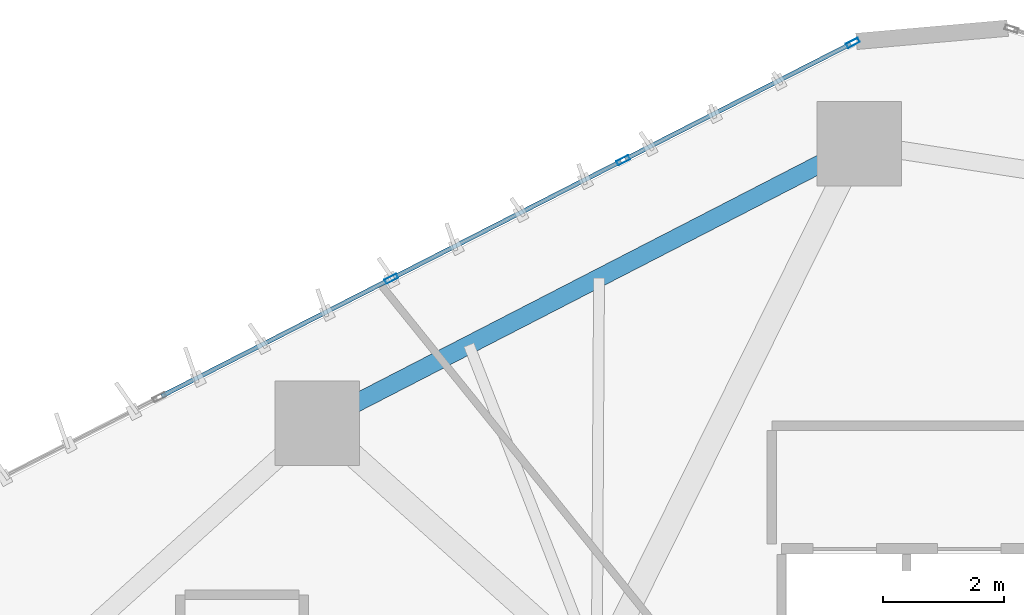
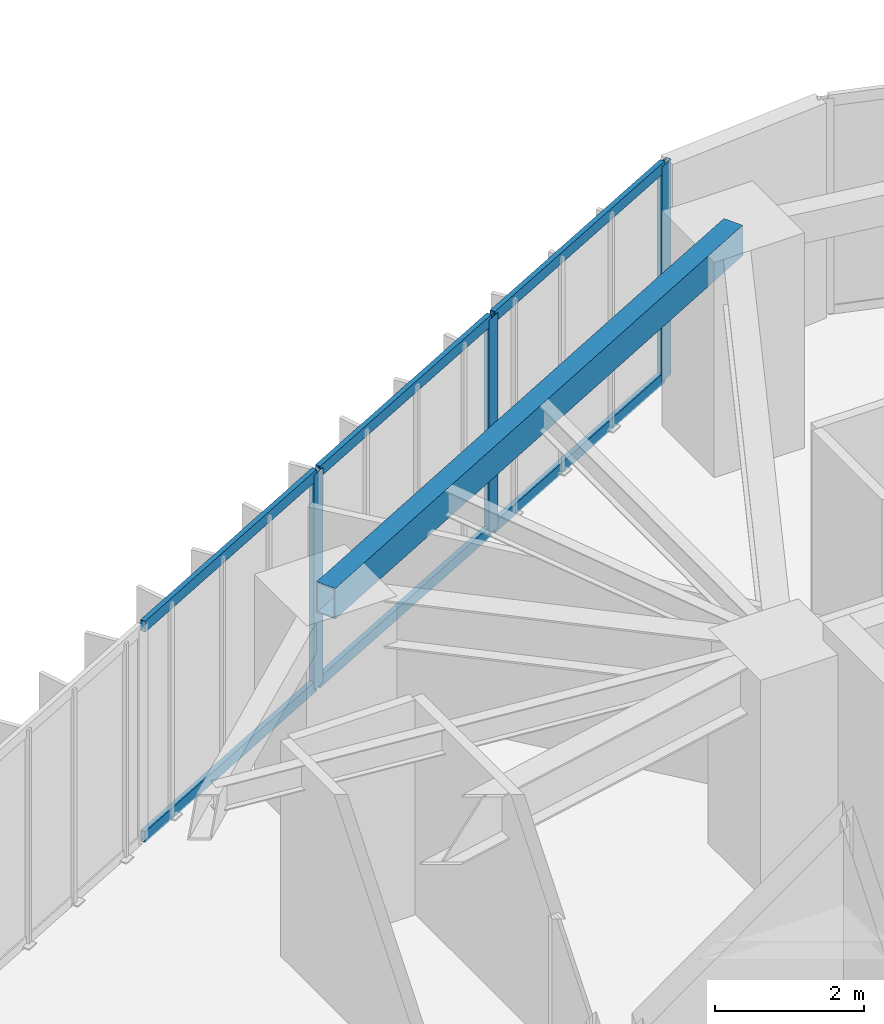
# One storey, part 15 of 24: 9 members, 1 beam, 1 element without a shape of its own.
"""IFC4 building model written with IfcOpenShell, lengths in metres."""

from ifc_helpers import new_model, si_unit, direction, frame, origin, origin_2d, place, context, subcontext, project, spatial, hollow_rectangle, extrude, source, transform, mapped, material, layer, layer_set, material_profile, profile_set, type_object, type_shapes, element, aggregate, save


model = new_model("IFC4")

# Units and contexts
model_context = context("Model", 3, precision=1e-05, world=origin(), true_north=direction((0.0, 1.0)))
body_context = subcontext(model_context, "Body", "Model", "MODEL_VIEW")
ifc_project = project(units=[si_unit("LENGTHUNIT", "METRE"), si_unit("AREAUNIT", "SQUARE_METRE"), si_unit("VOLUMEUNIT", "CUBIC_METRE"), si_unit("PLANEANGLEUNIT", "RADIAN"), si_unit("MASSUNIT", "GRAM", prefix="KILO")], contexts=[model_context])

# Site, building, storey
site_placement = place(None, origin())
site = spatial("IfcSite", under=ifc_project, at=site_placement, CompositionType="ELEMENT")
building_placement = place(site_placement, origin())
building = spatial("IfcBuilding", under=site, at=building_placement, Name="Talar Marvaseh", CompositionType="ELEMENT")
storey_placement = place(building_placement, frame((0.0, 0.0, 39.199951171875)))
storey = spatial("IfcBuildingStorey", under=building, at=storey_placement, Name="L09", CompositionType="ELEMENT", Elevation=39.199951171875)

# Beam
ifc_material_1 = material(Name="Steel S355", Category="steel")
ifc_material_profile_1 = material_profile(ifc_material_1, hollow_rectangle(XDim=0.300048828125, YDim=0.5, WallThickness=0.02001953125, at=origin_2d()), Name="RHS500x300x20")
ifc_profile_set_1 = profile_set([ifc_material_profile_1], Name="Steel S355")
beam_type = type_object("IfcBeamType", Name="Zone 1 Perimeter Spandrel Beam RHS500x300x20", PredefinedType="SPANDREL", material=ifc_profile_set_1)
beam_placement = place(storey_placement, frame((14.069091796875, 41.04296875, 3.27001953125), z_axis=(0.889015710182, 0.457876694155, 0.0), x_axis=(-0.457876694155, 0.889015710182, 0.0)))
element("IfcBeam", 1, at=beam_placement, inside=storey, type_object=beam_type, Name="L09 Zone 1 Perimeter Spandrel Beam RHS500x300x20", PredefinedType="SPANDREL", context=body_context, shape_type="SweptSolid", body=[
    extrude(hollow_rectangle(XDim=0.300048828125, YDim=0.5, WallThickness=0.02001953125, at=origin_2d()), origin(), (0.0, 0.0, 1.0), 10.098876953125),
])

# Curtain wall, members
ifc_material_2 = material(Name="Architectural Aluminium", Category="aluminium")
ifc_layer = layer(ifc_material_2, 0.219970703125)
ifc_layer_set = layer_set([ifc_layer], Name="Architectural Aluminium")
curtain_wall_type = type_object("IfcCurtainWallType", Name="Unitised Low-E Museum Curtain Wall Z1", PredefinedType="NOTDEFINED", material=ifc_layer_set)
curtain_wall_placement = place(storey_placement, origin())
curtain_wall = element("IfcCurtainWall", 2, at=curtain_wall_placement, inside=storey, type_object=curtain_wall_type, Name="L09 Unitised Low-E Museum Curtain Wall Z1", PredefinedType="NOTDEFINED")
ifc_material_profile_2 = material_profile(ifc_material_2, hollow_rectangle(XDim=0.080078125, YDim=0.219970703125, WallThickness=0.0048828125, at=origin_2d()), Name="RHS220x80x5")
ifc_profile_set_2 = profile_set([ifc_material_profile_2], Name="Architectural Aluminium")
member_type_1 = type_object("IfcMemberType", Name="Unitised Curtain Wall Heavy Mullion RHS220x80x5", PredefinedType="MULLION", material=ifc_profile_set_2)
shared_shape_1 = source(origin(), body_context, "Body", "SweptSolid", [
    extrude(hollow_rectangle(XDim=0.080078125, YDim=0.219970703125, WallThickness=0.0048828125, at=origin_2d()), origin(), (0.0, 0.0, 1.0), 3.52001953125),
])
type_shapes(member_type_1, [shared_shape_1])
member_1_placement = place(storey_placement, frame((15.298095703125, 43.43359375, 0.0), z_axis=(0.0, 0.0, 1.0), x_axis=(-0.455044452732, 0.890468722661, 0.0)))
member_1 = element("IfcMember", 3, at=member_1_placement, type_object=member_type_1, Name="CW-Z1 mullion 3", PredefinedType="MULLION", context=body_context, shape_type="MappedRepresentation", body=[
    mapped(shared_shape_1, transform((0.0, 0.0, 0.0), x_axis=(1.0, 0.0, 0.0), y_axis=(0.0, 1.0, 0.0), z_axis=(0.0, 0.0, 1.0), scale=1.0)),
])
member_2_placement = place(storey_placement, frame((19.1376953125, 45.3955078125, 0.0), z_axis=(0.0, 0.0, 1.0), x_axis=(-0.455044452732, 0.890468722661, 0.0)))
member_2 = element("IfcMember", 4, at=member_2_placement, type_object=member_type_1, Name="CW-Z1 mullion 4", PredefinedType="MULLION", context=body_context, shape_type="MappedRepresentation", body=[
    mapped(shared_shape_1, transform((0.0, 0.0, 0.0), x_axis=(1.0, 0.0, 0.0), y_axis=(0.0, 1.0, 0.0), z_axis=(0.0, 0.0, 1.0), scale=1.0)),
])
member_3_placement = place(storey_placement, frame((22.941650390625, 47.339599609375, 0.0), z_axis=(0.0, 0.0, 1.0), x_axis=(-0.455044452732, 0.890468722661, 0.0)))
member_3 = element("IfcMember", 5, at=member_3_placement, type_object=member_type_1, Name="CW-Z1 mullion 5", PredefinedType="MULLION", context=body_context, shape_type="MappedRepresentation", body=[
    mapped(shared_shape_1, transform((0.0, 0.0, 0.0), x_axis=(1.0, 0.0, 0.0), y_axis=(0.0, 1.0, 0.0), z_axis=(0.0, 0.0, 1.0), scale=1.0)),
])
ifc_material_profile_3 = material_profile(ifc_material_2, hollow_rectangle(XDim=0.074951171875, YDim=0.179931640625, WallThickness=0.0048828125, at=origin_2d()), Name="RHS180x75x5")
ifc_profile_set_3 = profile_set([ifc_material_profile_3], Name="Architectural Aluminium")
member_type_2 = type_object("IfcMemberType", Name="Unitised Curtain Wall Transom RHS180x75x5", PredefinedType="USERDEFINED", material=ifc_profile_set_3)
shared_shape_2 = source(origin(), body_context, "Body", "SweptSolid", [
    extrude(hollow_rectangle(XDim=0.074951171875, YDim=0.179931640625, WallThickness=0.0048828125, at=origin_2d()), origin(), (0.0, 0.0, 1.0), 4.19189453125),
])
member_4_placement = place(storey_placement, frame((19.17333984375, 45.413818359375, 0.03759765625), z_axis=(0.890467198945, 0.455047434453, 0.0), x_axis=(-0.455047434453, 0.890467198945, 0.0)))
member_4 = element("IfcMember", 6, at=member_4_placement, type_object=member_type_2, Name="CW-Z1 transom 4.1", ObjectType="TRANSOM", PredefinedType="USERDEFINED", context=body_context, shape_type="MappedRepresentation", body=[
    mapped(shared_shape_2, transform((0.0, 0.0, 0.0), x_axis=(1.0, 0.0, 0.0), y_axis=(0.0, 1.0, 0.0), z_axis=(0.0, 0.0, 1.0), scale=1.0)),
])
member_5_placement = place(storey_placement, frame((19.17333984375, 45.413818359375, 3.482666015625), z_axis=(0.890467198945, 0.455047434453, 0.0), x_axis=(-0.455047434453, 0.890467198945, 0.0)))
member_5 = element("IfcMember", 7, at=member_5_placement, type_object=member_type_2, Name="CW-Z1 transom 4.2", ObjectType="TRANSOM", PredefinedType="USERDEFINED", context=body_context, shape_type="MappedRepresentation", body=[
    mapped(shared_shape_2, transform((0.0, 0.0, 0.0), x_axis=(1.0, 0.0, 0.0), y_axis=(0.0, 1.0, 0.0), z_axis=(0.0, 0.0, 1.0), scale=1.0)),
])
shared_shape_3 = source(origin(), body_context, "Body", "SweptSolid", [
    extrude(hollow_rectangle(XDim=0.074951171875, YDim=0.179931640625, WallThickness=0.0048828125, at=origin_2d()), origin(), (0.0, 0.0, 1.0), 4.23193359375),
])
type_shapes(member_type_2, [shared_shape_2, shared_shape_3])
member_6_placement = place(storey_placement, frame((11.494140625, 41.489501953125, 0.03759765625), z_axis=(0.890458060041, 0.455065317629, 0.0), x_axis=(-0.455065317629, 0.890458060041, 0.0)))
member_6 = element("IfcMember", 8, at=member_6_placement, type_object=member_type_2, Name="CW-Z1 transom 2.1", ObjectType="TRANSOM", PredefinedType="USERDEFINED", context=body_context, shape_type="MappedRepresentation", body=[
    mapped(shared_shape_3, transform((0.0, 0.0, 0.0), x_axis=(1.0, 0.0, 0.0), y_axis=(0.0, 1.0, 0.0), z_axis=(0.0, 0.0, 1.0), scale=1.0)),
])
member_7_placement = place(storey_placement, frame((11.494140625, 41.489501953125, 3.482666015625), z_axis=(0.890458060041, 0.455065317629, 0.0), x_axis=(-0.455065317629, 0.890458060041, 0.0)))
member_7 = element("IfcMember", 9, at=member_7_placement, type_object=member_type_2, Name="CW-Z1 transom 2.2", ObjectType="TRANSOM", PredefinedType="USERDEFINED", context=body_context, shape_type="MappedRepresentation", body=[
    mapped(shared_shape_3, transform((0.0, 0.0, 0.0), x_axis=(1.0, 0.0, 0.0), y_axis=(0.0, 1.0, 0.0), z_axis=(0.0, 0.0, 1.0), scale=1.0)),
])
member_8_placement = place(storey_placement, frame((15.333740234375, 43.45166015625, 0.03759765625), z_axis=(0.890458060041, 0.455065317629, 0.0), x_axis=(-0.455065317629, 0.890458060041, 0.0)))
member_8 = element("IfcMember", 10, at=member_8_placement, type_object=member_type_2, Name="CW-Z1 transom 3.1", ObjectType="TRANSOM", PredefinedType="USERDEFINED", context=body_context, shape_type="MappedRepresentation", body=[
    mapped(shared_shape_3, transform((0.0, 0.0, 0.0), x_axis=(1.0, 0.0, 0.0), y_axis=(0.0, 1.0, 0.0), z_axis=(0.0, 0.0, 1.0), scale=1.0)),
])
member_9_placement = place(storey_placement, frame((15.333740234375, 43.45166015625, 3.482666015625), z_axis=(0.890458060041, 0.455065317629, 0.0), x_axis=(-0.455065317629, 0.890458060041, 0.0)))
member_9 = element("IfcMember", 11, at=member_9_placement, type_object=member_type_2, Name="CW-Z1 transom 3.2", ObjectType="TRANSOM", PredefinedType="USERDEFINED", context=body_context, shape_type="MappedRepresentation", body=[
    mapped(shared_shape_3, transform((0.0, 0.0, 0.0), x_axis=(1.0, 0.0, 0.0), y_axis=(0.0, 1.0, 0.0), z_axis=(0.0, 0.0, 1.0), scale=1.0)),
])
aggregate(curtain_wall, [member_1, member_2, member_3, member_6, member_7, member_8, member_9, member_4, member_5])

save(model, "model.ifc")
